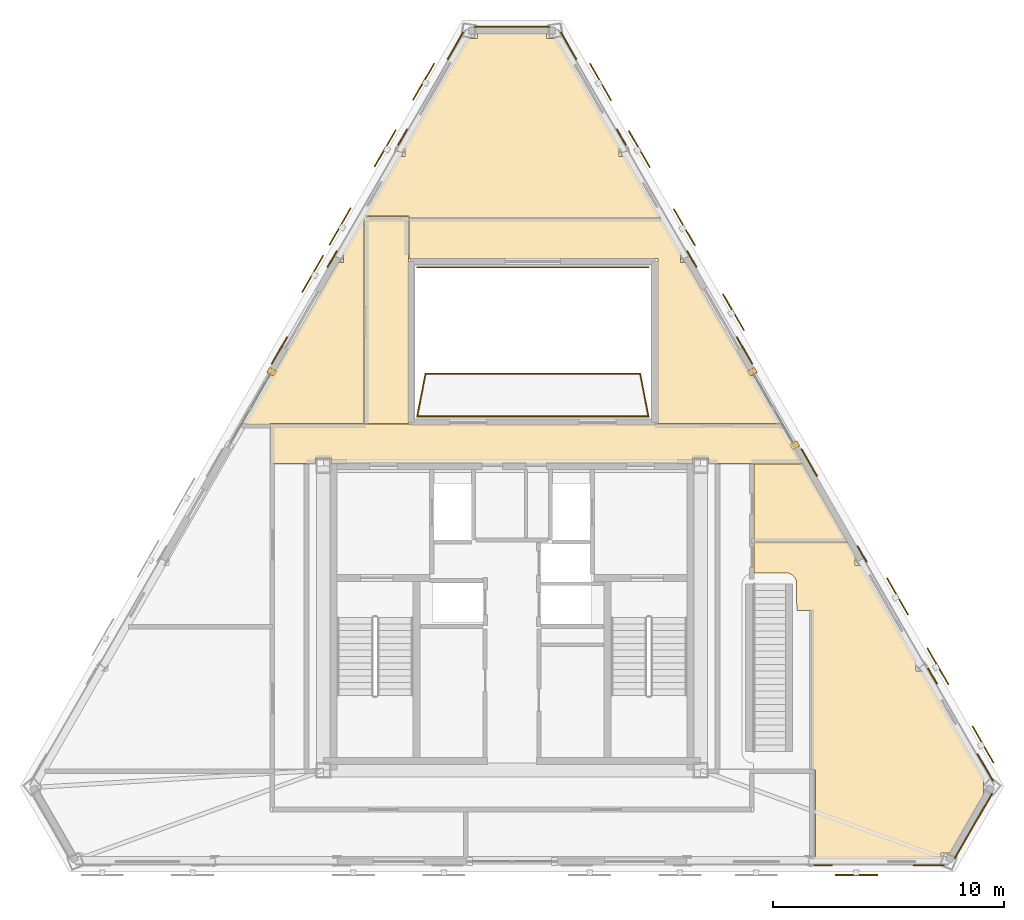
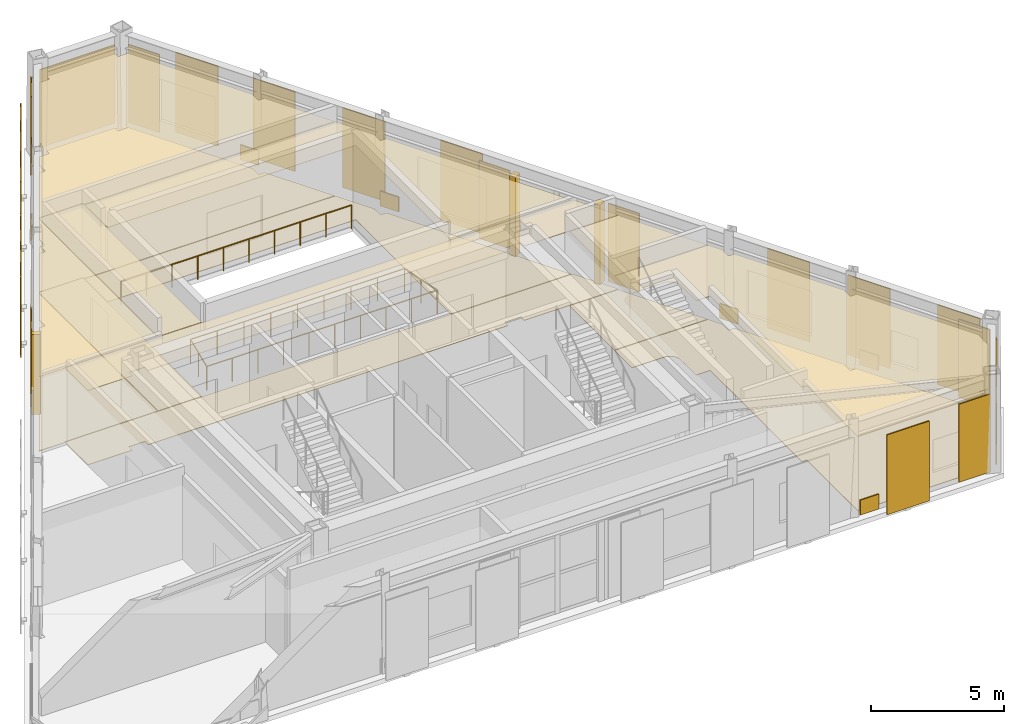
# One storey, part 15 of 15: 33 coverings, 12 shading devices, 5 railings.
"""IFC4 building model written with IfcOpenShell, lengths in metres."""

from ifc_helpers import new_model, si_unit, direction, frame, origin, origin_2d, place, context, subcontext, project, spatial, polyline, rectangle, circle, outline, extrude, material, layer, layer_set, type_object, element, save


model = new_model("IFC4")

# Units and contexts
model_context = context("Model", 3, precision=1e-05, world=origin(), true_north=direction((0.0, 1.0)))
body_context = subcontext(model_context, "Body", "Model", "MODEL_VIEW")
ifc_project = project(units=[si_unit("LENGTHUNIT", "METRE"), si_unit("AREAUNIT", "SQUARE_METRE"), si_unit("VOLUMEUNIT", "CUBIC_METRE"), si_unit("PLANEANGLEUNIT", "RADIAN"), si_unit("MASSUNIT", "GRAM", prefix="KILO")], contexts=[model_context])

# Site, building, storey
site_placement = place(None, origin())
site = spatial("IfcSite", under=ifc_project, at=site_placement, CompositionType="ELEMENT")
building_placement = place(site_placement, origin())
building = spatial("IfcBuilding", under=site, at=building_placement, Name="Oramaril Tower", CompositionType="ELEMENT")
storey_placement = place(building_placement, frame((0.0, 0.0, 305.10009765625)))
storey = spatial("IfcBuildingStorey", under=building, at=storey_placement, Name="L80", CompositionType="ELEMENT", Elevation=305.10009765625)

# Coverings
ifc_material_1 = material(Name="Mineral Fibre Acoustic Ceiling")
ifc_layer_1 = layer(ifc_material_1, 0.02001953125)
ifc_layer_set_1 = layer_set([ifc_layer_1], Name="CVT-CEIL")
covering_type_1 = type_object("IfcCoveringType", Name="CVT-CEIL", PredefinedType="CEILING", material=ifc_layer_set_1)
covering_1_placement = place(storey_placement, frame((0.0, 0.0, 3.411865234375)))
element("IfcCovering", 1, at=covering_1_placement, inside=storey, type_object=covering_type_1, Name="L80 Acoustic Suspended Ceiling 2", PredefinedType="CEILING", context=body_context, shape_type="SweptSolid", body=[
    extrude(outline(polyline([(27.070068359375, 25.9599609375), (49.1005859375, 25.9599609375), (50.093505859375, 24.239990234375), (45.9951171875, 24.239990234375), (45.9951171875, 24.4951171875), (45.304931640625, 24.4951171875), (45.304931640625, 24.25), (29.695068359375, 24.25), (29.695068359375, 24.4951171875), (29.0048828125, 24.4951171875), (29.0048828125, 24.239990234375), (27.070068359375, 24.239990234375), (27.070068359375, 25.9599609375)])), origin(), (0.0, 0.0, 1.0), 0.02001953125),
])
covering_2_placement = place(storey_placement, frame((0.0, 0.0, 3.411865234375)))
element("IfcCovering", 2, at=covering_2_placement, inside=storey, type_object=covering_type_1, Name="L80 Acoustic Suspended Ceiling 4", PredefinedType="CEILING", context=body_context, shape_type="SweptSolid", body=[
    extrude(outline(polyline([(33.030029296875, 34.929931640625), (33.030029296875, 25.97998046875), (31.1201171875, 25.97998046875), (31.1201171875, 34.929931640625), (33.030029296875, 34.929931640625)])), origin(), (0.0, 0.0, 1.0), 0.02001953125),
])
covering_3_placement = place(storey_placement, frame((0.0, 0.0, 3.411865234375)))
element("IfcCovering", 3, at=covering_3_placement, inside=storey, type_object=covering_type_1, Name="L80 Acoustic Suspended Ceiling 10", PredefinedType="CEILING", context=body_context, shape_type="SweptSolid", body=[
    extrude(outline(polyline([(29.96533203125, 32.92626953125), (30.23046875, 32.92626953125), (30.23046875, 33.359619140625), (30.215576171875, 33.359619140625), (31.0712890625, 34.842041015625), (31.10009765625, 34.842041015625), (31.10009765625, 25.97998046875), (27.070068359375, 25.97998046875), (27.068115234375, 25.97998046875), (27.066162109375, 25.9794921875), (27.064208984375, 25.97900390625), (27.062255859375, 25.978515625), (27.060546875, 25.9775390625), (27.058837890625, 25.9765625), (27.057373046875, 25.9755859375), (27.055908203125, 25.97412109375), (27.054443359375, 25.97265625), (27.053466796875, 25.97119140625), (27.052490234375, 25.969482421875), (27.051513671875, 25.9677734375), (27.05078125, 25.9658203125), (27.05029296875, 25.9638671875), (27.050048828125, 25.9619140625), (27.050048828125, 25.9599609375), (27.050048828125, 25.94189453125), (25.93310546875, 25.94189453125), (29.96533203125, 32.92626953125)])), origin(), (0.0, 0.0, 1.0), 0.02001953125),
])
covering_4_placement = place(storey_placement, frame((0.0, 0.0, 3.411865234375)))
element("IfcCovering", 4, at=covering_4_placement, inside=storey, type_object=covering_type_1, Name="L80 Acoustic Suspended Ceiling 11", PredefinedType="CEILING", context=body_context, shape_type="SweptSolid", body=[
    extrude(outline(polyline([(52.002197265625, 20.85791015625), (47.949951171875, 20.85791015625), (47.949951171875, 24.219970703125), (50.061279296875, 24.219970703125), (52.002197265625, 20.85791015625)])), origin(), (0.0, 0.0, 1.0), 0.02001953125),
])
covering_5_placement = place(storey_placement, frame((0.0, 0.0, 3.411865234375)))
element("IfcCovering", 5, at=covering_5_placement, inside=storey, type_object=covering_type_1, Name="L80 Acoustic Suspended Ceiling 12", PredefinedType="CEILING", context=body_context, shape_type="SweptSolid", body=[
    extrude(outline(polyline([(52.32470703125, 20.2998046875), (52.318115234375, 20.2998046875), (52.318115234375, 19.8515625), (52.583251953125, 19.8515625), (54.963623046875, 15.728759765625), (54.960205078125, 15.728759765625), (54.960205078125, 15.275390625), (55.225341796875, 15.275390625), (57.9140625, 10.618408203125), (57.8662109375, 10.618408203125), (57.8662109375, 9.93212890625), (57.887451171875, 9.93212890625), (56.4423828125, 7.42919921875), (56.0302734375, 7.42919921875), (56.0302734375, 7.16162109375), (50.612060546875, 7.16162109375), (50.612060546875, 10.991943359375), (50.61181640625, 10.993896484375), (50.611572265625, 10.995849609375), (50.611083984375, 10.997802734375), (50.610595703125, 10.999755859375), (50.609619140625, 11.00146484375), (50.608642578125, 11.003173828125), (50.607421875, 11.004638671875), (50.606201171875, 11.006103515625), (50.604736328125, 11.007568359375), (50.60302734375, 11.008544921875), (50.601318359375, 11.009521484375), (50.599609375, 11.010498046875), (50.597900390625, 11.010986328125), (50.595947265625, 11.01171875), (50.593994140625, 11.011962890625), (50.592041015625, 11.011962890625), (50.407958984375, 11.011962890625), (50.407958984375, 17.907958984375), (49.8037109375, 17.907958984375), (49.79248046875, 19.146240234375), (49.766357421875, 19.232421875), (49.72216796875, 19.314697265625), (49.662841796875, 19.38720703125), (49.591796875, 19.4453125), (49.461669921875, 19.507080078125), (49.37158203125, 19.52490234375), (47.949951171875, 19.52734375), (47.949951171875, 20.837890625), (52.002197265625, 20.837890625), (52.00439453125, 20.838134765625), (52.006103515625, 20.83837890625), (52.00830078125, 20.8388671875), (52.010009765625, 20.839599609375), (52.01171875, 20.84033203125), (52.01220703125, 20.8408203125), (52.32470703125, 20.2998046875)])), origin(), (0.0, 0.0, 1.0), 0.02001953125),
])
covering_6_placement = place(storey_placement, frame((0.0, 0.0, 3.411865234375)))
element("IfcCovering", 6, at=covering_6_placement, inside=storey, type_object=covering_type_1, Name="L80 Acoustic Suspended Ceiling 13", PredefinedType="CEILING", context=body_context, shape_type="SweptSolid", body=[
    extrude(outline(polyline([(43.9287109375, 34.842041015625), (44.784423828125, 33.359619140625), (44.76953125, 33.359619140625), (44.76953125, 32.92626953125), (45.03466796875, 32.92626953125), (49.045166015625, 25.97998046875), (43.80810546875, 25.97998046875), (43.80810546875, 33.10791015625), (33.050048828125, 33.10791015625), (33.050048828125, 34.842041015625), (43.9287109375, 34.842041015625)])), origin(), (0.0, 0.0, 1.0), 0.02001953125),
])
covering_7_placement = place(storey_placement, frame((0.0, 0.0, 3.411865234375)))
element("IfcCovering", 7, at=covering_7_placement, inside=storey, type_object=covering_type_1, Name="L80 Acoustic Suspended Ceiling 14", PredefinedType="CEILING", context=body_context, shape_type="SweptSolid", body=[
    extrude(outline(polyline([(32.87255859375, 37.502197265625), (32.87255859375, 37.9306640625), (32.8544921875, 37.9306640625), (35.561279296875, 42.61865234375), (36.005615234375, 42.61865234375), (36.005615234375, 42.840087890625), (38.994384765625, 42.840087890625), (38.994384765625, 42.61865234375), (39.438720703125, 42.61865234375), (42.1455078125, 37.9306640625), (42.12744140625, 37.9306640625), (42.12744140625, 37.502197265625), (42.392578125, 37.502197265625), (43.9169921875, 34.862060546875), (33.050048828125, 34.862060546875), (33.050048828125, 34.929931640625), (33.0498046875, 34.931884765625), (33.049560546875, 34.933837890625), (33.049072265625, 34.935791015625), (33.048583984375, 34.937744140625), (33.047607421875, 34.939453125), (33.046630859375, 34.941162109375), (33.04541015625, 34.942626953125), (33.044189453125, 34.944091796875), (33.042724609375, 34.945556640625), (33.041015625, 34.946533203125), (33.039306640625, 34.947509765625), (33.03759765625, 34.948486328125), (33.035888671875, 34.94921875), (33.033935546875, 34.94970703125), (33.031982421875, 34.949951171875), (33.030029296875, 34.949951171875), (31.1337890625, 34.949951171875), (32.607421875, 37.502197265625), (32.87255859375, 37.502197265625)])), origin(), (0.0, 0.0, 1.0), 0.02001953125),
])
ifc_material_2 = material(Name="Warm Cream Limestone", Category="masonry")
ifc_layer_2 = layer(ifc_material_2, 0.050048828125)
ifc_layer_set_2 = layer_set([ifc_layer_2], Name="CVT-CLD")
covering_type_2 = type_object("IfcCoveringType", Name="CVT-CLD", PredefinedType="CLADDING", material=ifc_layer_set_2)
covering_8_placement = place(storey_placement, frame((55.500244140625, 6.8857421875, 0.0400390625), z_axis=(0.0, 0.0, 1.0), x_axis=(1.0, 0.0, 0.0)))
element("IfcCovering", 8, at=covering_8_placement, inside=storey, type_object=covering_type_2, Name="L80 Warm Cream Limestone Cladding", PredefinedType="CLADDING", context=body_context, shape_type="SweptSolid", body=[
    extrude(rectangle(XDim=1.35009765625, YDim=0.050048828125, at=origin_2d()), origin(), (0.0, 0.0, 1.0), 3.577880859375),
])
covering_9_placement = place(storey_placement, frame((50.942138671875, 6.8857421875, 0.0400390625), z_axis=(0.0, 0.0, 1.0), x_axis=(1.0, 0.0, 0.0)))
element("IfcCovering", 9, at=covering_9_placement, inside=storey, type_object=covering_type_2, Name="L80 Warm Cream Limestone Spandrel Cladding", PredefinedType="CLADDING", context=body_context, shape_type="SweptSolid", body=[
    extrude(rectangle(XDim=0.800048828125, YDim=0.050048828125, at=origin_2d()), origin(), (0.0, 0.0, 1.0), 0.679931640625),
])
covering_10_placement = place(storey_placement, frame((57.432373046875, 8.592041015625, 0.0400390625), z_axis=(0.0, 0.0, 1.0), x_axis=(0.500006045986, 0.866021913105, 0.0)))
element("IfcCovering", 10, at=covering_10_placement, inside=storey, type_object=covering_type_2, Name="L80 Warm Cream Limestone Cladding", PredefinedType="CLADDING", context=body_context, shape_type="SweptSolid", body=[
    extrude(rectangle(XDim=3.24658203125, YDim=0.050048828125, at=origin_2d()), origin(), (0.0, 0.0, 1.0), 3.577880859375),
])
for number, where, z_axis, x_axis, name in (
    (11, (49.71337890625, 25.038330078125, 0.0), (0.0, 0.0, 1.0), (-0.5, 0.866025403784, 0.0), "L80 Curtain Wall Limestone Jamb Closure"),
    (12, (47.88330078125, 28.2080078125, 0.0), (0.0, 0.0, 1.0), (-0.5, 0.866025403784, 0.0), "L80 Curtain Wall Limestone Jamb Closure"),
):
    element("IfcCovering", number, at=place(storey_placement, frame(where, z_axis=z_axis, x_axis=x_axis)), inside=storey, type_object=covering_type_2, Name=name, PredefinedType="CLADDING", context=body_context, shape_type="SweptSolid", body=[
        extrude(rectangle(XDim=0.260009765625, YDim=0.340087890625, at=origin_2d()), origin(), (0.0, 0.0, 1.0), 3.657958984375),
    ])
for number, where, z_axis, x_axis, name in (
    (13, (57.944091796875, 11.118408203125, 0.0400390625), (0.0, 0.0, 1.0), (-0.5, 0.866025403784, 0.0), "L80 Warm Cream Limestone Cladding"),
    (14, (50.343994140625, 24.282470703125, 0.0400390625), (0.0, 0.0, 1.0), (-0.5, 0.866025403784, 0.0), "L80 Warm Cream Limestone Cladding"),
):
    element("IfcCovering", number, at=place(storey_placement, frame(where, z_axis=z_axis, x_axis=x_axis)), inside=storey, type_object=covering_type_2, Name=name, PredefinedType="CLADDING", context=body_context, shape_type="SweptSolid", body=[
        extrude(rectangle(XDim=1.35009765625, YDim=0.050048828125, at=origin_2d()), origin(), (0.0, 0.0, 1.0), 3.577880859375),
    ])
for number, where, z_axis, x_axis, name in (
    (15, (55.6650390625, 15.06591796875, 0.0400390625), (0.0, 0.0, 1.0), (-0.5, 0.866025403784, 0.0), "L80 Warm Cream Limestone Spandrel Cladding"),
    (16, (52.622802734375, 20.3349609375, 0.0400390625), (0.0, 0.0, 1.0), (-0.5, 0.866025403784, 0.0), "L80 Warm Cream Limestone Spandrel Cladding"),
):
    element("IfcCovering", number, at=place(storey_placement, frame(where, z_axis=z_axis, x_axis=x_axis)), inside=storey, type_object=covering_type_2, Name=name, PredefinedType="CLADDING", context=body_context, shape_type="SweptSolid", body=[
        extrude(rectangle(XDim=0.800048828125, YDim=0.050048828125, at=origin_2d()), origin(), (0.0, 0.0, 1.0), 0.679931640625),
    ])
for number, where, z_axis, x_axis, name in (
    (17, (47.5439453125, 29.132080078125, 0.0400390625), (0.0, 0.0, 1.0), (-0.5, 0.866025403784, 0.0), "L80 Warm Cream Limestone Cladding"),
    (18, (39.943603515625, 42.2958984375, 0.0400390625), (0.0, 0.0, 1.0), (-0.5, 0.866025403784, 0.0), "L80 Warm Cream Limestone Cladding"),
):
    element("IfcCovering", number, at=place(storey_placement, frame(where, z_axis=z_axis, x_axis=x_axis)), inside=storey, type_object=covering_type_2, Name=name, PredefinedType="CLADDING", context=body_context, shape_type="SweptSolid", body=[
        extrude(rectangle(XDim=1.35009765625, YDim=0.050048828125, at=origin_2d()), origin(), (0.0, 0.0, 1.0), 3.577880859375),
    ])
for number, where, z_axis, x_axis, name in (
    (19, (45.264892578125, 33.07958984375, 0.0400390625), (0.0, 0.0, 1.0), (-0.5, 0.866025403784, 0.0), "L80 Warm Cream Limestone Spandrel Cladding"),
    (20, (42.222900390625, 38.3486328125, 0.0400390625), (0.0, 0.0, 1.0), (-0.5, 0.866025403784, 0.0), "L80 Warm Cream Limestone Spandrel Cladding"),
):
    element("IfcCovering", number, at=place(storey_placement, frame(where, z_axis=z_axis, x_axis=x_axis)), inside=storey, type_object=covering_type_2, Name=name, PredefinedType="CLADDING", context=body_context, shape_type="SweptSolid", body=[
        extrude(rectangle(XDim=0.800048828125, YDim=0.050048828125, at=origin_2d()), origin(), (0.0, 0.0, 1.0), 0.679931640625),
    ])
covering_11_placement = place(storey_placement, frame((37.5, 43.1162109375, 0.0400390625), z_axis=(0.0, 0.0, 1.0), x_axis=(-1.0, 0.0, 0.0)))
element("IfcCovering", 21, at=covering_11_placement, inside=storey, type_object=covering_type_2, Name="L80 Warm Cream Limestone Cladding", PredefinedType="CLADDING", context=body_context, shape_type="SweptSolid", body=[
    extrude(rectangle(XDim=3.246337890625, YDim=0.050048828125, at=origin_2d()), origin(), (0.0, 0.0, 1.0), 3.577880859375),
])
covering_12_placement = place(storey_placement, frame((27.11669921875, 28.2080078125, 0.0), z_axis=(0.0, 0.0, 1.0), x_axis=(-0.5, -0.866025403784, 0.0)))
element("IfcCovering", 22, at=covering_12_placement, inside=storey, type_object=covering_type_2, Name="L80 Curtain Wall Limestone Jamb Closure", PredefinedType="CLADDING", context=body_context, shape_type="SweptSolid", body=[
    extrude(rectangle(XDim=0.260009765625, YDim=0.340087890625, at=origin_2d()), origin(), (0.0, 0.0, 1.0), 3.657958984375),
])
for number, where, z_axis, x_axis, name in (
    (23, (35.056396484375, 42.2958984375, 0.0400390625), (0.0, 0.0, 1.0), (-0.5, -0.866025403784, 0.0), "L80 Warm Cream Limestone Cladding"),
    (24, (27.4560546875, 29.132080078125, 0.0400390625), (0.0, 0.0, 1.0), (-0.5, -0.866025403784, 0.0), "L80 Warm Cream Limestone Cladding"),
):
    element("IfcCovering", number, at=place(storey_placement, frame(where, z_axis=z_axis, x_axis=x_axis)), inside=storey, type_object=covering_type_2, Name=name, PredefinedType="CLADDING", context=body_context, shape_type="SweptSolid", body=[
        extrude(rectangle(XDim=1.35009765625, YDim=0.050048828125, at=origin_2d()), origin(), (0.0, 0.0, 1.0), 3.577880859375),
    ])
for number, where, z_axis, x_axis, name in (
    (25, (32.777099609375, 38.348388671875, 0.0400390625), (0.0, 0.0, 1.0), (-0.5, -0.866025403784, 0.0), "L80 Warm Cream Limestone Spandrel Cladding"),
    (26, (29.735107421875, 33.07958984375, 0.0400390625), (0.0, 0.0, 1.0), (-0.5, -0.866025403784, 0.0), "L80 Warm Cream Limestone Spandrel Cladding"),
):
    element("IfcCovering", number, at=place(storey_placement, frame(where, z_axis=z_axis, x_axis=x_axis)), inside=storey, type_object=covering_type_2, Name=name, PredefinedType="CLADDING", context=body_context, shape_type="SweptSolid", body=[
        extrude(rectangle(XDim=0.800048828125, YDim=0.050048828125, at=origin_2d()), origin(), (0.0, 0.0, 1.0), 0.679931640625),
    ])
ifc_material_3 = material(Name="Honed Quartzite Stone Flooring", Category="masonry")
ifc_layer_3 = layer(ifc_material_3, 0.02490234375)
ifc_layer_set_3 = layer_set([ifc_layer_3], Name="CVT-FLR")
covering_type_3 = type_object("IfcCoveringType", Name="CVT-FLR", PredefinedType="FLOORING", material=ifc_layer_set_3)
covering_13_placement = place(storey_placement, origin())
element("IfcCovering", 27, at=covering_13_placement, inside=storey, type_object=covering_type_3, Name="L80 Honed Stone Floor Finish 2", PredefinedType="FLOORING", context=body_context, shape_type="SweptSolid", body=[
    extrude(outline(polyline([(27.070068359375, 25.9599609375), (49.1005859375, 25.9599609375), (50.093505859375, 24.239990234375), (45.9951171875, 24.239990234375), (45.9951171875, 24.4951171875), (45.304931640625, 24.4951171875), (45.304931640625, 24.25), (29.695068359375, 24.25), (29.695068359375, 24.4951171875), (29.0048828125, 24.4951171875), (29.0048828125, 24.239990234375), (27.070068359375, 24.239990234375), (27.070068359375, 25.9599609375)])), origin(), (0.0, 0.0, 1.0), 0.02490234375),
])
covering_14_placement = place(storey_placement, origin())
element("IfcCovering", 28, at=covering_14_placement, inside=storey, type_object=covering_type_3, Name="L80 Honed Stone Floor Finish 4", PredefinedType="FLOORING", context=body_context, shape_type="SweptSolid", body=[
    extrude(outline(polyline([(33.030029296875, 34.929931640625), (33.030029296875, 25.97998046875), (31.1201171875, 25.97998046875), (31.1201171875, 34.929931640625), (33.030029296875, 34.929931640625)])), origin(), (0.0, 0.0, 1.0), 0.02490234375),
])
covering_15_placement = place(storey_placement, origin())
element("IfcCovering", 29, at=covering_15_placement, inside=storey, type_object=covering_type_3, Name="L80 Honed Stone Floor Finish 10", PredefinedType="FLOORING", context=body_context, shape_type="SweptSolid", body=[
    extrude(outline(polyline([(29.96533203125, 32.92626953125), (30.23046875, 32.92626953125), (30.23046875, 33.359619140625), (30.215576171875, 33.359619140625), (31.0712890625, 34.842041015625), (31.10009765625, 34.842041015625), (31.10009765625, 25.97998046875), (27.070068359375, 25.97998046875), (27.068115234375, 25.97998046875), (27.066162109375, 25.9794921875), (27.064208984375, 25.97900390625), (27.062255859375, 25.978515625), (27.060546875, 25.9775390625), (27.058837890625, 25.9765625), (27.057373046875, 25.9755859375), (27.055908203125, 25.97412109375), (27.054443359375, 25.97265625), (27.053466796875, 25.97119140625), (27.052490234375, 25.969482421875), (27.051513671875, 25.9677734375), (27.05078125, 25.9658203125), (27.05029296875, 25.9638671875), (27.050048828125, 25.9619140625), (27.050048828125, 25.9599609375), (27.050048828125, 25.94189453125), (25.93310546875, 25.94189453125), (29.96533203125, 32.92626953125)])), origin(), (0.0, 0.0, 1.0), 0.02490234375),
])
covering_16_placement = place(storey_placement, origin())
element("IfcCovering", 30, at=covering_16_placement, inside=storey, type_object=covering_type_3, Name="L80 Honed Stone Floor Finish 11", PredefinedType="FLOORING", context=body_context, shape_type="SweptSolid", body=[
    extrude(outline(polyline([(52.002197265625, 20.85791015625), (47.949951171875, 20.85791015625), (47.949951171875, 24.219970703125), (50.061279296875, 24.219970703125), (52.002197265625, 20.85791015625)])), origin(), (0.0, 0.0, 1.0), 0.02490234375),
])
covering_17_placement = place(storey_placement, origin())
element("IfcCovering", 31, at=covering_17_placement, inside=storey, type_object=covering_type_3, Name="L80 Honed Stone Floor Finish 12", PredefinedType="FLOORING", context=body_context, shape_type="SweptSolid", body=[
    extrude(outline(polyline([(52.32470703125, 20.2998046875), (52.318115234375, 20.2998046875), (52.318115234375, 19.8515625), (52.583251953125, 19.8515625), (54.963623046875, 15.728759765625), (54.960205078125, 15.728759765625), (54.960205078125, 15.275390625), (55.225341796875, 15.275390625), (57.9140625, 10.618408203125), (57.8662109375, 10.618408203125), (57.8662109375, 9.93212890625), (57.887451171875, 9.93212890625), (56.4423828125, 7.42919921875), (56.0302734375, 7.42919921875), (56.0302734375, 7.16162109375), (50.612060546875, 7.16162109375), (50.612060546875, 10.991943359375), (50.61181640625, 10.993896484375), (50.611572265625, 10.995849609375), (50.611083984375, 10.997802734375), (50.610595703125, 10.999755859375), (50.609619140625, 11.00146484375), (50.608642578125, 11.003173828125), (50.607421875, 11.004638671875), (50.606201171875, 11.006103515625), (50.604736328125, 11.007568359375), (50.60302734375, 11.008544921875), (50.601318359375, 11.009521484375), (50.599609375, 11.010498046875), (50.597900390625, 11.010986328125), (50.595947265625, 11.01171875), (50.593994140625, 11.011962890625), (50.592041015625, 11.011962890625), (50.407958984375, 11.011962890625), (50.407958984375, 17.907958984375), (49.8037109375, 17.907958984375), (49.79248046875, 19.146240234375), (49.766357421875, 19.232421875), (49.72216796875, 19.314697265625), (49.662841796875, 19.38720703125), (49.591796875, 19.4453125), (49.461669921875, 19.507080078125), (49.37158203125, 19.52490234375), (47.949951171875, 19.52734375), (47.949951171875, 20.837890625), (52.002197265625, 20.837890625), (52.00439453125, 20.838134765625), (52.006103515625, 20.83837890625), (52.00830078125, 20.8388671875), (52.010009765625, 20.839599609375), (52.01171875, 20.84033203125), (52.01220703125, 20.8408203125), (52.32470703125, 20.2998046875)])), origin(), (0.0, 0.0, 1.0), 0.02490234375),
])
covering_18_placement = place(storey_placement, origin())
element("IfcCovering", 32, at=covering_18_placement, inside=storey, type_object=covering_type_3, Name="L80 Honed Stone Floor Finish 13", PredefinedType="FLOORING", context=body_context, shape_type="SweptSolid", body=[
    extrude(outline(polyline([(43.9287109375, 34.842041015625), (44.784423828125, 33.359619140625), (44.76953125, 33.359619140625), (44.76953125, 32.92626953125), (45.03466796875, 32.92626953125), (49.045166015625, 25.97998046875), (43.80810546875, 25.97998046875), (43.80810546875, 33.10791015625), (33.050048828125, 33.10791015625), (33.050048828125, 34.842041015625), (43.9287109375, 34.842041015625)])), origin(), (0.0, 0.0, 1.0), 0.02490234375),
])
covering_19_placement = place(storey_placement, origin())
element("IfcCovering", 33, at=covering_19_placement, inside=storey, type_object=covering_type_3, Name="L80 Honed Stone Floor Finish 14", PredefinedType="FLOORING", context=body_context, shape_type="SweptSolid", body=[
    extrude(outline(polyline([(32.87255859375, 37.502197265625), (32.87255859375, 37.9306640625), (32.8544921875, 37.9306640625), (35.561279296875, 42.61865234375), (36.005615234375, 42.61865234375), (36.005615234375, 42.840087890625), (38.994384765625, 42.840087890625), (38.994384765625, 42.61865234375), (39.438720703125, 42.61865234375), (42.1455078125, 37.9306640625), (42.12744140625, 37.9306640625), (42.12744140625, 37.502197265625), (42.392578125, 37.502197265625), (43.9169921875, 34.862060546875), (33.050048828125, 34.862060546875), (33.050048828125, 34.929931640625), (33.0498046875, 34.931884765625), (33.049560546875, 34.933837890625), (33.049072265625, 34.935791015625), (33.048583984375, 34.937744140625), (33.047607421875, 34.939453125), (33.046630859375, 34.941162109375), (33.04541015625, 34.942626953125), (33.044189453125, 34.944091796875), (33.042724609375, 34.945556640625), (33.041015625, 34.946533203125), (33.039306640625, 34.947509765625), (33.03759765625, 34.948486328125), (33.035888671875, 34.94921875), (33.033935546875, 34.94970703125), (33.031982421875, 34.949951171875), (33.030029296875, 34.949951171875), (31.1337890625, 34.949951171875), (32.607421875, 37.502197265625), (32.87255859375, 37.502197265625)])), origin(), (0.0, 0.0, 1.0), 0.02490234375),
])

# Railings
ifc_material_4 = material(Name="Stainless Steel 316L", Category="steel")
railing_type = type_object("IfcRailingType", Name="RLT-GRD", PredefinedType="GUARDRAIL", material=ifc_material_4)
railing_1_placement = place(storey_placement, frame((33.39990234375, 26.260009765625, 0.0)))
element("IfcRailing", 34, at=railing_1_placement, inside=storey, type_object=railing_type, Name="L80 Wind Portal Observation Deck Guardrail 1", PredefinedType="GUARDRAIL", context=body_context, shape_type="SweptSolid", body=[
    extrude(circle(Radius=0.02392578125, at=origin_2d()), frame((0.0, 0.0, 1.076171875), z_axis=(0.19006597927, 0.981771319363, 0.0), x_axis=(-0.981771319363, 0.19006597927, 0.0)), (0.0, 0.0, 1.0), 1.89453125),
    extrude(circle(Radius=0.02099609375, at=origin_2d()), origin(), (0.0, 0.0, 1.0), 1.052001953125),
    extrude(circle(Radius=0.02099609375, at=origin_2d()), frame((0.18017578125, 0.93017578125, 0.0)), (0.0, 0.0, 1.0), 1.052001953125),
    extrude(circle(Radius=0.02099609375, at=origin_2d()), frame((0.360107421875, 1.860107421875, 0.0)), (0.0, 0.0, 1.0), 1.052001953125),
])
railing_2_placement = place(storey_placement, frame((33.760009765625, 28.1201171875, 0.0)))
element("IfcRailing", 35, at=railing_2_placement, inside=storey, type_object=railing_type, Name="L80 Wind Portal Observation Deck Guardrail 2", PredefinedType="GUARDRAIL", context=body_context, shape_type="SweptSolid", body=[
    extrude(circle(Radius=0.02392578125, at=origin_2d()), frame((0.0, 0.0, 1.076171875), z_axis=(1.0, 0.0, 0.0), x_axis=(0.0, 1.0, 0.0)), (0.0, 0.0, 1.0), 9.280029296875),
    extrude(circle(Radius=0.02099609375, at=origin_2d()), origin(), (0.0, 0.0, 1.0), 1.052001953125),
    extrude(circle(Radius=0.02099609375, at=origin_2d()), frame((1.159912109375, 0.0, 0.0)), (0.0, 0.0, 1.0), 1.052001953125),
    extrude(circle(Radius=0.02099609375, at=origin_2d()), frame((2.320068359375, 0.0, 0.0)), (0.0, 0.0, 1.0), 1.052001953125),
    extrude(circle(Radius=0.02099609375, at=origin_2d()), frame((3.47998046875, 0.0, 0.0)), (0.0, 0.0, 1.0), 1.052001953125),
    extrude(circle(Radius=0.02099609375, at=origin_2d()), frame((4.64013671875, 0.0, 0.0)), (0.0, 0.0, 1.0), 1.052001953125),
    extrude(circle(Radius=0.02099609375, at=origin_2d()), frame((5.800048828125, 0.0, 0.0)), (0.0, 0.0, 1.0), 1.052001953125),
    extrude(circle(Radius=0.02099609375, at=origin_2d()), frame((6.9599609375, 0.0, 0.0)), (0.0, 0.0, 1.0), 1.052001953125),
    extrude(circle(Radius=0.02099609375, at=origin_2d()), frame((8.1201171875, 0.0, 0.0)), (0.0, 0.0, 1.0), 1.052001953125),
    extrude(circle(Radius=0.02099609375, at=origin_2d()), frame((9.280029296875, 0.0, 0.0)), (0.0, 0.0, 1.0), 1.052001953125),
])
railing_3_placement = place(storey_placement, frame((43.0400390625, 28.1201171875, 0.0)))
element("IfcRailing", 36, at=railing_3_placement, inside=storey, type_object=railing_type, Name="L80 Wind Portal Observation Deck Guardrail 3", PredefinedType="GUARDRAIL", context=body_context, shape_type="SweptSolid", body=[
    extrude(circle(Radius=0.02392578125, at=origin_2d()), frame((0.0, 0.0, 1.076171875), z_axis=(0.189941771433, -0.981795357223, 0.0), x_axis=(0.981795357223, 0.189941771433, 0.0)), (0.0, 0.0, 1.0), 1.89453125),
    extrude(circle(Radius=0.02099609375, at=origin_2d()), origin(), (0.0, 0.0, 1.0), 1.052001953125),
    extrude(circle(Radius=0.02099609375, at=origin_2d()), frame((0.179931640625, -0.93017578125, 0.0)), (0.0, 0.0, 1.0), 1.052001953125),
    extrude(circle(Radius=0.02099609375, at=origin_2d()), frame((0.35986328125, -1.860107421875, 0.0)), (0.0, 0.0, 1.0), 1.052001953125),
])
for number, where, name in (
    (37, (33.39990234375, 26.280029296875, 0.0), "L80 Wind Portal Throat Edge Guardrail S"),
    (38, (33.39990234375, 32.719970703125, 0.0), "L80 Wind Portal Throat Edge Guardrail N"),
):
    element("IfcRailing", number, at=place(storey_placement, frame(where)), inside=storey, type_object=railing_type, Name=name, PredefinedType="GUARDRAIL", context=body_context, shape_type="SweptSolid", body=[
        extrude(circle(Radius=0.02392578125, at=origin_2d()), frame((0.0, 0.0, 1.076171875), z_axis=(1.0, 0.0, 0.0), x_axis=(0.0, 1.0, 0.0)), (0.0, 0.0, 1.0), 10.0),
        extrude(circle(Radius=0.02099609375, at=origin_2d()), origin(), (0.0, 0.0, 1.0), 1.052001953125),
        extrude(circle(Radius=0.02099609375, at=origin_2d()), frame((1.111083984375, 0.0, 0.0)), (0.0, 0.0, 1.0), 1.052001953125),
        extrude(circle(Radius=0.02099609375, at=origin_2d()), frame((2.22216796875, 0.0, 0.0)), (0.0, 0.0, 1.0), 1.052001953125),
        extrude(circle(Radius=0.02099609375, at=origin_2d()), frame((3.333251953125, 0.0, 0.0)), (0.0, 0.0, 1.0), 1.052001953125),
        extrude(circle(Radius=0.02099609375, at=origin_2d()), frame((4.4443359375, 0.0, 0.0)), (0.0, 0.0, 1.0), 1.052001953125),
        extrude(circle(Radius=0.02099609375, at=origin_2d()), frame((5.5556640625, 0.0, 0.0)), (0.0, 0.0, 1.0), 1.052001953125),
        extrude(circle(Radius=0.02099609375, at=origin_2d()), frame((6.666748046875, 0.0, 0.0)), (0.0, 0.0, 1.0), 1.052001953125),
        extrude(circle(Radius=0.02099609375, at=origin_2d()), frame((7.77783203125, 0.0, 0.0)), (0.0, 0.0, 1.0), 1.052001953125),
        extrude(circle(Radius=0.02099609375, at=origin_2d()), frame((8.888916015625, 0.0, 0.0)), (0.0, 0.0, 1.0), 1.052001953125),
        extrude(circle(Radius=0.02099609375, at=origin_2d()), frame((10.0, 0.0, 0.0)), (0.0, 0.0, 1.0), 1.052001953125),
    ])

# Shading devices
for number, where, z_axis, x_axis, name in (
    (39, (52.374755859375, 6.4736328125, -0.02001953125), (0.0, 0.0, 1.0), (1.0, 0.0, 0.0), "L80 Perforated Ceramic Solar Screen"),
    (40, (57.8466796875, 12.111083984375, -0.02001953125), (0.0, 0.0, 1.0), (-0.5, 0.866025403784, 0.0), "L80 Perforated Ceramic Solar Screen"),
    (41, (55.896484375, 15.48876953125, -0.02001953125), (0.0, 0.0, 1.0), (-0.5, 0.866025403784, 0.0), "L80 Perforated Ceramic Solar Screen"),
    (42, (54.156494140625, 18.502685546875, -0.02001953125), (0.0, 0.0, 1.0), (-0.5, 0.866025403784, 0.0), "L80 Perforated Ceramic Solar Screen"),
    (43, (47.065185546875, 30.785400390625, -0.02001953125), (0.0, 0.0, 1.0), (-0.500001511499, 0.866024531118, 0.0), "L80 Perforated Ceramic Solar Screen"),
    (44, (44.948486328125, 34.451416015625, -0.02001953125), (0.0, 0.0, 1.0), (-0.500001511499, 0.866024531118, 0.0), "L80 Perforated Ceramic Solar Screen"),
    (45, (42.99853515625, 37.828857421875, -0.02001953125), (0.0, 0.0, 1.0), (-0.500001511499, 0.866024531118, 0.0), "L80 Perforated Ceramic Solar Screen"),
    (46, (41.32470703125, 40.727783203125, -0.02001953125), (0.0, 0.0, 1.0), (-0.500001511499, 0.866024531118, 0.0), "L80 Perforated Ceramic Solar Screen"),
    (47, (28.888671875, 32.43701171875, -0.02001953125), (0.0, 0.0, 1.0), (-0.5, -0.866025403784, 0.0), "L80 Perforated Ceramic Solar Screen"),
    (48, (33.682373046875, 40.740234375, -0.02001953125), (0.0, 0.0, 1.0), (-0.5, -0.866025403784, 0.0), "L80 Perforated Ceramic Solar Screen"),
    (49, (32.023193359375, 37.8662109375, -0.02001953125), (0.0, 0.0, 1.0), (-0.5, -0.866025403784, 0.0), "L80 Perforated Ceramic Solar Screen"),
    (50, (30.072998046875, 34.48876953125, -0.02001953125), (0.0, 0.0, 1.0), (-0.5, -0.866025403784, 0.0), "L80 Perforated Ceramic Solar Screen"),
):
    element("IfcShadingDevice", number, at=place(storey_placement, frame(where, z_axis=z_axis, x_axis=x_axis)), inside=storey, Name=name, ObjectType="SCREEN", PredefinedType="USERDEFINED", context=body_context, shape_type="SweptSolid", body=[
        extrude(rectangle(XDim=1.8330078125, YDim=0.050048828125, at=origin_2d()), origin(), (0.0, 0.0, 1.0), 3.657958984375),
    ])

save(model, "model.ifc")
